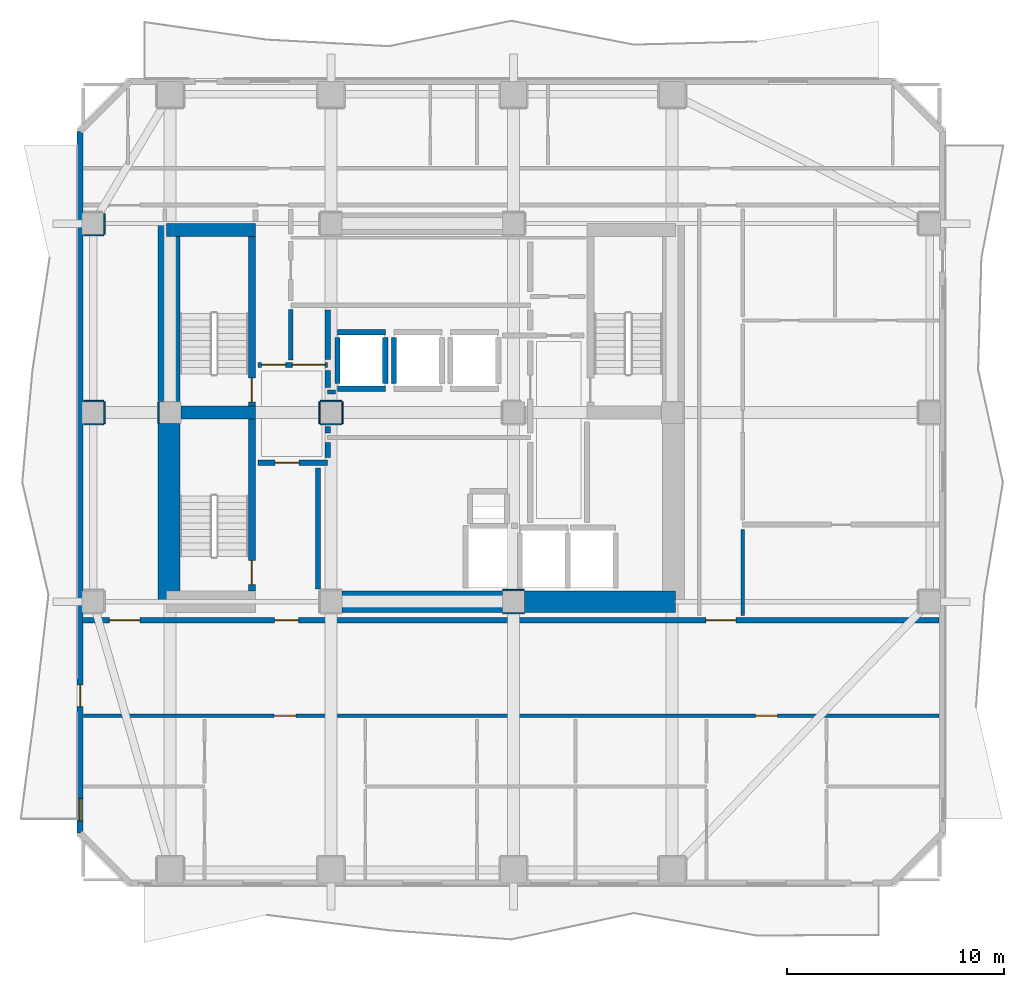
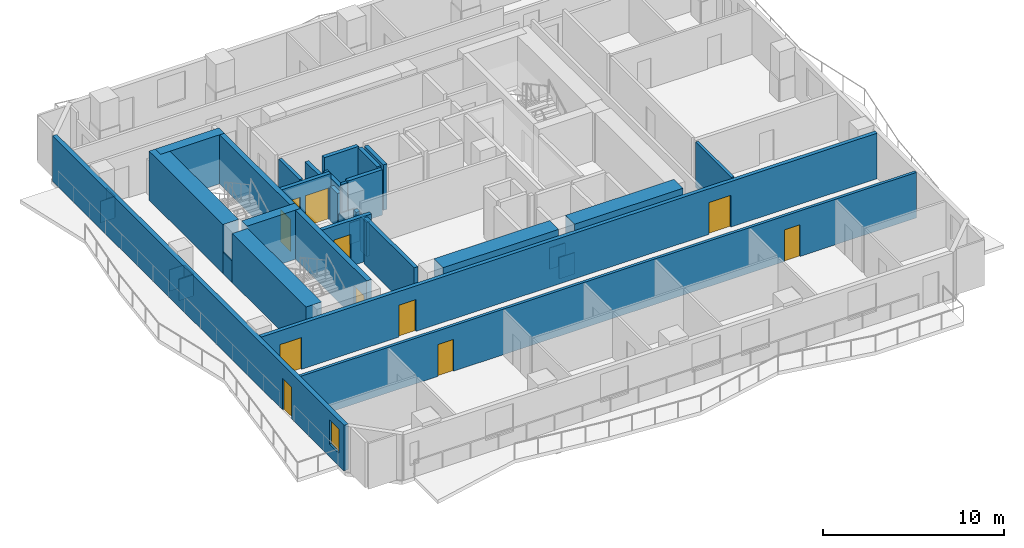
# One storey, part 3 of 9: 38 walls, 11 doors, 1 window, 12 openings.
"""IFC4 building model written with IfcOpenShell, lengths in metres."""

from ifc_helpers import new_model, si_unit, direction, frame, frame_2d, origin, place, context, subcontext, project, spatial, rectangle, extrude, material, layer, layer_set, type_object, element, fill, save


model = new_model("IFC4")

# Units and contexts
model_context = context("Model", 3, precision=1e-05, world=origin(), true_north=direction((0.0, 1.0)))
body_context = subcontext(model_context, "Body", "Model", "MODEL_VIEW")
ifc_project = project(units=[si_unit("LENGTHUNIT", "METRE"), si_unit("AREAUNIT", "SQUARE_METRE"), si_unit("VOLUMEUNIT", "CUBIC_METRE"), si_unit("PLANEANGLEUNIT", "RADIAN"), si_unit("MASSUNIT", "GRAM", prefix="KILO")], contexts=[model_context])

# Site, building, storey
site_placement = place(None, origin())
site = spatial("IfcSite", under=ifc_project, at=site_placement, CompositionType="ELEMENT")
building_placement = place(site_placement, origin())
building = spatial("IfcBuilding", under=site, at=building_placement, Name="Solanera Arch Residences", CompositionType="ELEMENT")
storey_placement = place(building_placement, frame((0.0, 0.0, 129.320068359375)))
storey = spatial("IfcBuildingStorey", under=building, at=storey_placement, Name="L37", CompositionType="ELEMENT", Elevation=129.320068359375)

# Walls
ifc_material_1 = material(Name="Fire-Rated Gypsum Stud Partition", Category="gypsum")
ifc_layer_1 = layer(ifc_material_1, 0.06005859375)
ifc_layer_set_1 = layer_set([ifc_layer_1], Name="Fire-Rated Gypsum Stud Partition")
wall_type_1 = type_object("IfcWallType", Name="Column Acoustic Furring Wall 60", PredefinedType="PARTITIONING", material=ifc_layer_set_1)
for number, where, z_axis, x_axis, name in (
    (1, (28.699951171875, 21.468017578125, 0.0), (0.0, 0.0, 1.0), (1.0, 0.0, 0.0), "L37 Column Furring 2S"),
    (2, (28.699951171875, 22.531982421875, 0.0), (0.0, 0.0, 1.0), (1.0, 0.0, 0.0), "L37 Column Furring 2N"),
):
    element("IfcWall", number, at=place(storey_placement, frame(where, z_axis=z_axis, x_axis=x_axis)), inside=storey, type_object=wall_type_1, Name=name, PredefinedType="PARTITIONING", context=body_context, shape_type="SweptSolid", body=[
        extrude(rectangle(XDim=1.0, YDim=0.06005859375, at=frame_2d((0.5, 0.0))), origin(), (0.0, 0.0, 1.0), 1.449951171875),
    ])
wall_1_placement = place(storey_placement, frame((12.867919921875, 30.2099609375, 0.0), z_axis=(0.0, 0.0, 1.0), x_axis=(0.0, 1.0, 0.0)))
element("IfcWall", 3, at=wall_1_placement, inside=storey, type_object=wall_type_1, Name="L37 Column Furring 5W", PredefinedType="PARTITIONING", context=body_context, shape_type="SweptSolid", body=[
    extrude(rectangle(XDim=0.97998046875, YDim=0.06005859375, at=frame_2d((0.489990234375, 0.0))), origin(), (0.0, 0.0, 1.0), 1.449951171875),
])
for number, where, z_axis, x_axis, name in (
    (4, (20.300048828125, 30.16796875, 0.0), (0.0, 0.0, 1.0), (1.0, 0.0, 0.0), "L37 Column Furring 7S"),
    (5, (20.300048828125, 31.23193359375, 0.0), (0.0, 0.0, 1.0), (1.0, 0.0, 0.0), "L37 Column Furring 7N"),
    (6, (20.26806640625, 30.199951171875, 0.0), (0.0, 0.0, 1.0), (0.0, 1.0, 0.0), "L37 Column Furring 7W"),
    (7, (21.33203125, 30.199951171875, 0.0), (0.0, 0.0, 1.0), (0.0, 1.0, 0.0), "L37 Column Furring 7E"),
):
    element("IfcWall", number, at=place(storey_placement, frame(where, z_axis=z_axis, x_axis=x_axis)), inside=storey, type_object=wall_type_1, Name=name, PredefinedType="PARTITIONING", context=body_context, shape_type="SweptSolid", body=[
        extrude(rectangle(XDim=1.0, YDim=0.06005859375, at=frame_2d((0.5, 0.0))), origin(), (0.0, 0.0, 1.0), 1.449951171875),
    ])
for number, where, z_axis, x_axis, name in (
    (8, (9.409912109375, 30.16796875, 0.0), (0.0, 0.0, 1.0), (1.0, 0.0, 0.0), "L37 Column Furring 19S"),
    (9, (9.409912109375, 31.23193359375, 0.0), (0.0, 0.0, 1.0), (1.0, 0.0, 0.0), "L37 Column Furring 19N"),
):
    element("IfcWall", number, at=place(storey_placement, frame(where, z_axis=z_axis, x_axis=x_axis)), inside=storey, type_object=wall_type_1, Name=name, PredefinedType="PARTITIONING", context=body_context, shape_type="SweptSolid", body=[
        extrude(rectangle(XDim=0.940185546875, YDim=0.06005859375, at=frame_2d((0.47021484375, 0.0))), origin(), (0.0, 0.0, 1.0), 1.449951171875),
    ])
wall_2_placement = place(storey_placement, frame((10.382080078125, 30.199951171875, 0.0), z_axis=(0.0, 0.0, 1.0), x_axis=(0.0, 1.0, 0.0)))
element("IfcWall", 10, at=wall_2_placement, inside=storey, type_object=wall_type_1, Name="L37 Column Furring 19E", PredefinedType="PARTITIONING", context=body_context, shape_type="SweptSolid", body=[
    extrude(rectangle(XDim=1.0, YDim=0.06005859375, at=frame_2d((0.5, 0.0))), origin(), (0.0, 0.0, 1.0), 1.449951171875),
])
wall_3_placement = place(storey_placement, frame((9.409912109375, 38.867919921875, 0.0), z_axis=(0.0, 0.0, 1.0), x_axis=(1.0, 0.0, 0.0)))
element("IfcWall", 11, at=wall_3_placement, inside=storey, type_object=wall_type_1, Name="L37 Column Furring 21S", PredefinedType="PARTITIONING", context=body_context, shape_type="SweptSolid", body=[
    extrude(rectangle(XDim=0.940185546875, YDim=0.06005859375, at=frame_2d((0.47021484375, 0.0))), origin(), (0.0, 0.0, 1.0), 1.449951171875),
])
wall_4_placement = place(storey_placement, frame((10.382080078125, 38.89990234375, 0.0), z_axis=(0.0, 0.0, 1.0), x_axis=(0.0, 1.0, 0.0)))
element("IfcWall", 12, at=wall_4_placement, inside=storey, type_object=wall_type_1, Name="L37 Column Furring 21E", PredefinedType="PARTITIONING", context=body_context, shape_type="SweptSolid", body=[
    extrude(rectangle(XDim=0.9560546875, YDim=0.06005859375, at=frame_2d((0.47802734375, 0.0))), origin(), (0.0, 0.0, 1.0), 1.449951171875),
])
ifc_material_2 = material(Name="Concrete C55/67 (f'c = 60 MPa)", Category="concrete")
ifc_layer_2 = layer(ifc_material_2, 1.0)
ifc_layer_set_2 = layer_set([ifc_layer_2], Name="Concrete C55/67 (f'c = 60 MPa)")
wall_type_2 = type_object("IfcWallType", Name="Core Shear Wall CW-1000", PredefinedType="SHEAR", material=ifc_layer_set_2)
wall_5_placement = place(storey_placement, frame((13.340087890625, 22.0, 0.0), z_axis=(0.0, 0.0, 1.0), x_axis=(0.0, 1.0, 0.0)))
element("IfcWall", 13, at=wall_5_placement, inside=storey, type_object=wall_type_2, Name="L37 West Core South Shear Wall", PredefinedType="SHEAR", context=body_context, shape_type="SweptSolid", body=[
    extrude(rectangle(XDim=8.195068359375, YDim=1.0, at=frame_2d((4.09765625, 0.0))), origin(), (0.0, 0.0, 1.0), 3.31982421875),
])
wall_6_placement = place(storey_placement, frame((13.340087890625, 31.205078125, 0.0), z_axis=(0.0, 0.0, 1.0), x_axis=(0.0, 1.0, 0.0)))
element("IfcWall", 14, at=wall_6_placement, inside=storey, type_object=wall_type_2, Name="L37 West Core North Shear Wall", PredefinedType="SHEAR", context=body_context, shape_type="SweptSolid", body=[
    extrude(rectangle(XDim=8.19482421875, YDim=1.0, at=frame_2d((4.097412109375, 0.0))), origin(), (0.0, 0.0, 1.0), 3.31982421875),
])
wall_7_placement = place(storey_placement, frame((29.705078125, 22.0, 0.0), z_axis=(0.0, 0.0, 1.0), x_axis=(1.0, 0.0, 0.0)))
element("IfcWall", 15, at=wall_7_placement, inside=storey, type_object=wall_type_2, Name="L37 South-East Core Shear Wall", PredefinedType="SHEAR", context=body_context, shape_type="SweptSolid", body=[
    extrude(rectangle(XDim=6.954833984375, YDim=1.0, at=frame_2d((3.4775390625, 0.0))), origin(), (0.0, 0.0, 1.0), 3.31982421875),
])
wall_8_placement = place(storey_placement, frame((21.304931640625, 22.0, 0.0), z_axis=(0.0, 0.0, 1.0), x_axis=(1.0, 0.0, 0.0)))
element("IfcWall", 16, at=wall_8_placement, inside=storey, type_object=wall_type_2, Name="L37 Central South Core Shear Wall", PredefinedType="SHEAR", context=body_context, shape_type="SweptSolid", body=[
    extrude(rectangle(XDim=7.39013671875, YDim=1.0, at=frame_2d((3.695068359375, 0.0))), origin(), (0.0, 0.0, 1.0), 3.31982421875),
])

# Wall, opening, door
ifc_material_3 = material(Name="Concrete C40/50 (f'c = 45 MPa)", Category="concrete")
ifc_layer_3 = layer(ifc_material_3, 0.320068359375)
ifc_layer_set_3 = layer_set([ifc_layer_3], Name="Concrete C40/50 (f'c = 45 MPa)")
wall_type_3 = type_object("IfcWallType", Name="Core Shear Wall CW-320", PredefinedType="SHEAR", material=ifc_layer_set_3)
wall_9_placement = place(storey_placement, frame((17.159912109375, 31.0, 0.0), z_axis=(0.0, 0.0, 1.0), x_axis=(0.0, 1.0, 0.0)))
wall_9 = element("IfcWall", 17, at=wall_9_placement, inside=storey, type_object=wall_type_3, Name="L37 Stair ST-T1 East Shear Wall", PredefinedType="SHEAR", context=body_context, shape_type="SweptSolid", body=[
    extrude(rectangle(XDim=7.800048828125, YDim=0.320068359375, at=frame_2d((3.89990234375, 0.0))), origin(), (0.0, 0.0, 1.0), 3.31982421875),
])
opening_1_placement = place(wall_9_placement, frame((0.18994140625, 0.0, 0.0)))
opening_1 = element("IfcOpeningElement", 18, at=opening_1_placement, cuts=wall_9, Name="Opening DF-01", PredefinedType="OPENING", context=body_context, shape_type="SweptSolid", body=[
    extrude(rectangle(XDim=1.10009765625, YDim=2.14990234375, at=frame_2d((0.550048828125, 1.074951171875))), frame((0.0, 0.169921875, 0.0), z_axis=(0.0, -1.0, 0.0), x_axis=(1.0, 0.0, 0.0)), (0.0, 0.0, 1.0), 0.3401),
])
ifc_material_4 = material(Name="Fire-Rated Architectural Hardwood", Category="wood")
door_type_1 = type_object("IfcDoorType", Name="Stair Exit Fire Door DF-01", OperationType="NOTDEFINED", PredefinedType="DOOR", material=ifc_material_4)
door_1_placement = place(opening_1_placement, origin())
door_1 = element("IfcDoor", 19, at=door_1_placement, inside=storey, type_object=door_type_1, Name="DR-L37-STAIR-ST-T1", OperationType="SINGLE_SWING_RIGHT", OverallHeight=2.14990234375, OverallWidth=1.10009765625, PredefinedType="DOOR", context=body_context, shape_type="SweptSolid", body=[
    extrude(rectangle(XDim=1.10009765625, YDim=2.14990234375, at=frame_2d((0.550048828125, 1.074951171875))), frame((0.0, 0.02490234375, 0.0), z_axis=(0.0, -1.0, 0.0), x_axis=(1.0, 0.0, 0.0)), (0.0, 0.0, 1.0), 0.050048828125),
])
fill(opening_1, door_1)

wall_10_placement = place(storey_placement, frame((17.159912109375, 22.5, 0.0), z_axis=(0.0, 0.0, 1.0), x_axis=(0.0, 1.0, 0.0)))
wall_10 = element("IfcWall", 20, at=wall_10_placement, inside=storey, type_object=wall_type_3, Name="L37 Stair ST-T3 East Shear Wall", PredefinedType="SHEAR", context=body_context, shape_type="SweptSolid", body=[
    extrude(rectangle(XDim=7.89990234375, YDim=0.320068359375, at=frame_2d((3.949951171875, 0.0))), origin(), (0.0, 0.0, 1.0), 3.31982421875),
])
opening_2_placement = place(wall_10_placement, frame((0.2900390625, 0.0, 0.0)))
opening_2 = element("IfcOpeningElement", 21, at=opening_2_placement, cuts=wall_10, Name="Opening DF-01", PredefinedType="OPENING", context=body_context, shape_type="SweptSolid", body=[
    extrude(rectangle(XDim=1.10009765625, YDim=2.14990234375, at=frame_2d((0.550048828125, 1.074951171875))), frame((0.0, 0.169921875, 0.0), z_axis=(0.0, -1.0, 0.0), x_axis=(1.0, 0.0, 0.0)), (0.0, 0.0, 1.0), 0.3401),
])
door_2_placement = place(opening_2_placement, origin())
door_2 = element("IfcDoor", 22, at=door_2_placement, inside=storey, type_object=door_type_1, Name="DR-L37-STAIR-ST-T3", OperationType="SINGLE_SWING_RIGHT", OverallHeight=2.14990234375, OverallWidth=1.10009765625, PredefinedType="DOOR", context=body_context, shape_type="SweptSolid", body=[
    extrude(rectangle(XDim=1.10009765625, YDim=2.14990234375, at=frame_2d((0.550048828125, 1.074951171875))), frame((0.0, 0.02490234375, 0.0), z_axis=(0.0, -1.0, 0.0), x_axis=(1.0, 0.0, 0.0)), (0.0, 0.0, 1.0), 0.050048828125),
])
fill(opening_2, door_2)

# Walls
ifc_material_5 = material(Name="Concrete C40/50 (f'c = 45 MPa)", Category="concrete")
ifc_layer_4 = layer(ifc_material_5, 0.60009765625)
ifc_layer_set_4 = layer_set([ifc_layer_4], Name="Concrete C40/50 (f'c = 45 MPa)")
wall_type_4 = type_object("IfcWallType", Name="Core Shear Wall CW-600", PredefinedType="SHEAR", material=ifc_layer_set_4)
wall_11_placement = place(storey_placement, frame((13.239990234375, 39.10009765625, 0.0), z_axis=(0.0, 0.0, 1.0), x_axis=(1.0, 0.0, 0.0)))
element("IfcWall", 23, at=wall_11_placement, inside=storey, type_object=wall_type_4, Name="L37 North-West Core Shear Wall", PredefinedType="SHEAR", context=body_context, shape_type="SweptSolid", body=[
    extrude(rectangle(XDim=4.080078125, YDim=0.60009765625, at=frame_2d((2.0400390625, 0.0))), origin(), (0.0, 0.0, 1.0), 3.31982421875),
])
wall_12_placement = place(storey_placement, frame((13.905029296875, 30.699951171875, 0.0), z_axis=(0.0, 0.0, 1.0), x_axis=(1.0, 0.0, 0.0)))
element("IfcWall", 24, at=wall_12_placement, inside=storey, type_object=wall_type_4, Name="L37 West Stair Divider Shear Wall", PredefinedType="SHEAR", context=body_context, shape_type="SweptSolid", body=[
    extrude(rectangle(XDim=3.4150390625, YDim=0.60009765625, at=frame_2d((1.70751953125, 0.0))), origin(), (0.0, 0.0, 1.0), 3.31982421875),
])

# Wall, openings, doors
ifc_material_6 = material(Name="Autoclaved Aerated Concrete Blockwork", Category="masonry")
ifc_layer_5 = layer(ifc_material_6, 0.179931640625)
ifc_layer_set_5 = layer_set([ifc_layer_5], Name="Autoclaved Aerated Concrete Blockwork")
wall_type_5 = type_object("IfcWallType", Name="Corridor Fire Partition 180", PredefinedType="PARTITIONING", material=ifc_layer_set_5)
wall_13_placement = place(storey_placement, frame((9.406982421875, 16.75, 0.0), z_axis=(0.0, 0.0, 1.0), x_axis=(1.0, 0.0, 0.0)))
wall_13 = element("IfcWall", 25, at=wall_13_placement, inside=storey, type_object=wall_type_5, Name="L37 Interior Partition H8", PredefinedType="PARTITIONING", context=body_context, shape_type="SweptSolid", body=[
    extrude(rectangle(XDim=39.385986328125, YDim=0.179931640625, at=frame_2d((19.69287109375, 0.0))), origin(), (0.0, 0.0, 1.0), 3.079833984375),
])
opening_3_placement = place(wall_13_placement, frame((8.77294921875, 0.0, 0.0)))
opening_3 = element("IfcOpeningElement", 26, at=opening_3_placement, cuts=wall_13, Name="Opening DI-01", PredefinedType="OPENING", context=body_context, shape_type="SweptSolid", body=[
    extrude(rectangle(XDim=1.0, YDim=2.14990234375, at=frame_2d((0.5, 1.074951171875))), frame((0.0, 0.10009765625, 0.0), z_axis=(0.0, -1.0, 0.0), x_axis=(1.0, 0.0, 0.0)), (0.0, 0.0, 1.0), 0.1999),
])
opening_4_placement = place(wall_13_placement, frame((30.93603515625, 0.0, 0.0)))
opening_4 = element("IfcOpeningElement", 27, at=opening_4_placement, cuts=wall_13, Name="Opening DI-01", PredefinedType="OPENING", context=body_context, shape_type="SweptSolid", body=[
    extrude(rectangle(XDim=1.0, YDim=2.14990234375, at=frame_2d((0.5, 1.074951171875))), frame((0.0, 0.10009765625, 0.0), z_axis=(0.0, -1.0, 0.0), x_axis=(1.0, 0.0, 0.0)), (0.0, 0.0, 1.0), 0.1999),
])
ifc_material_7 = material(Name="Fire-Rated Architectural Hardwood", Category="wood")
door_type_2 = type_object("IfcDoorType", Name="Unit Entrance Fire Door DI-01", OperationType="NOTDEFINED", PredefinedType="DOOR", material=ifc_material_7)
door_3_placement = place(opening_3_placement, origin())
door_3 = element("IfcDoor", 28, at=door_3_placement, inside=storey, type_object=door_type_2, Name="DR-L37-IN-017", OperationType="SINGLE_SWING_RIGHT", OverallHeight=2.14990234375, OverallWidth=1.0, PredefinedType="DOOR", context=body_context, shape_type="SweptSolid", body=[
    extrude(rectangle(XDim=1.0, YDim=2.14990234375, at=frame_2d((0.5, 1.074951171875))), frame((0.0, 0.02490234375, 0.0), z_axis=(0.0, -1.0, 0.0), x_axis=(1.0, 0.0, 0.0)), (0.0, 0.0, 1.0), 0.050048828125),
])
fill(opening_3, door_3)
door_4_placement = place(opening_4_placement, origin())
door_4 = element("IfcDoor", 29, at=door_4_placement, inside=storey, type_object=door_type_2, Name="DR-L37-IN-024", OperationType="SINGLE_SWING_LEFT", OverallHeight=2.14990234375, OverallWidth=1.0, PredefinedType="DOOR", context=body_context, shape_type="SweptSolid", body=[
    extrude(rectangle(XDim=1.0, YDim=2.14990234375, at=frame_2d((0.5, 1.074951171875))), frame((0.0, 0.02490234375, 0.0), z_axis=(0.0, -1.0, 0.0), x_axis=(1.0, 0.0, 0.0)), (0.0, 0.0, 1.0), 0.050048828125),
])
fill(opening_4, door_4)

# Walls
wall_14_placement = place(storey_placement, frame((20.64990234375, 31.64990234375, 0.0), z_axis=(0.0, 0.0, 1.0), x_axis=(1.0, 0.0, 0.0)))
element("IfcWall", 30, at=wall_14_placement, inside=storey, type_object=wall_type_5, Name="L37 Interior Partition H10", PredefinedType="PARTITIONING", context=body_context, shape_type="SweptSolid", body=[
    extrude(rectangle(XDim=0.357177734375, YDim=0.179931640625, at=frame_2d((0.1787109375, 0.0))), origin(), (0.0, 0.0, 1.0), 3.079833984375),
])
wall_15_placement = place(storey_placement, frame((39.75, 21.367919921875, 0.0), z_axis=(0.0, 0.0, 1.0), x_axis=(0.0, 1.0, 0.0)))
element("IfcWall", 31, at=wall_15_placement, inside=storey, type_object=wall_type_5, Name="L37 Interior Partition V11 1", PredefinedType="PARTITIONING", context=body_context, shape_type="SweptSolid", body=[
    extrude(rectangle(XDim=3.964111328125, YDim=0.179931640625, at=frame_2d((1.98193359375, 0.0))), origin(), (0.0, 0.0, 1.0), 3.079833984375),
])

# Wall, openings, door, window
ifc_material_8 = material(Name="Precast Concrete C35/45", Category="concrete")
ifc_layer_6 = layer(ifc_material_8, 0.280029296875)
ifc_layer_set_6 = layer_set([ifc_layer_6], Name="Precast Concrete C35/45")
wall_type_6 = type_object("IfcWallType", Name="Exterior Wall Precast Masonry-Frame 280", PredefinedType="STANDARD", material=ifc_layer_set_6)
wall_16_placement = place(storey_placement, frame((9.2548828125, 11.35498046875, 0.0), z_axis=(0.0, 0.0, 1.0), x_axis=(0.0, 1.0, 0.0)))
wall_16 = element("IfcWall", 32, at=wall_16_placement, inside=storey, type_object=wall_type_6, Name="L37 Tower Exterior Precast Masonry-Frame Wall W", PredefinedType="STANDARD", context=body_context, shape_type="SweptSolid", body=[
    extrude(rectangle(XDim=32.2900390625, YDim=0.280029296875, at=frame_2d((16.14501953125, 0.0))), origin(), (0.0, 0.0, 1.0), 3.079833984375),
])
opening_5_placement = place(wall_16_placement, frame((5.818115234375, 0.0, 0.0)))
opening_5 = element("IfcOpeningElement", 33, at=opening_5_placement, cuts=wall_16, Name="Opening DB-01", PredefinedType="OPENING", context=body_context, shape_type="SweptSolid", body=[
    extrude(rectangle(XDim=1.0, YDim=2.14990234375, at=frame_2d((0.5, 1.074951171875))), frame((0.0, 0.14990234375, 0.0), z_axis=(0.0, -1.0, 0.0), x_axis=(1.0, 0.0, 0.0)), (0.0, 0.0, 1.0), 0.3),
])
opening_6_placement = place(wall_16_placement, frame((0.5439453125, 0.0, 0.85009765625)))
opening_6 = element("IfcOpeningElement", 34, at=opening_6_placement, cuts=wall_16, Name="Opening W-07", PredefinedType="OPENING", context=body_context, shape_type="SweptSolid", body=[
    extrude(rectangle(XDim=1.050048828125, YDim=1.64990234375, at=frame_2d((0.52490234375, 0.824951171875))), frame((0.0, 0.14990234375, 0.0), z_axis=(0.0, -1.0, 0.0), x_axis=(1.0, 0.0, 0.0)), (0.0, 0.0, 1.0), 0.3),
])
ifc_material_9 = material(Name="Anodised Aluminium Alloy 6063-T6", Category="aluminium")
door_type_3 = type_object("IfcDoorType", Name="Glazed Balcony Swing Door DB-01", OperationType="NOTDEFINED", PredefinedType="DOOR", material=ifc_material_9)
door_5_placement = place(opening_5_placement, origin())
door_5 = element("IfcDoor", 35, at=door_5_placement, inside=storey, type_object=door_type_3, Name="DR-L37-OUT-04", OperationType="SINGLE_SWING_RIGHT", OverallHeight=2.14990234375, OverallWidth=1.0, PredefinedType="DOOR", context=body_context, shape_type="SweptSolid", body=[
    extrude(rectangle(XDim=1.0, YDim=2.14990234375, at=frame_2d((0.5, 1.074951171875))), frame((0.0, 0.02490234375, 0.0), z_axis=(0.0, -1.0, 0.0), x_axis=(1.0, 0.0, 0.0)), (0.0, 0.0, 1.0), 0.050048828125),
])
fill(opening_5, door_5)
ifc_material_10 = material(Name="Double Glazed Low-E Laminated Glass", Category="glass")
window_type = type_object("IfcWindowType", Name="Punched Window W-07", PartitioningType="SINGLE_PANEL", PredefinedType="WINDOW", material=ifc_material_10)
window_placement = place(opening_6_placement, origin())
window = element("IfcWindow", 36, at=window_placement, inside=storey, type_object=window_type, Name="L37 3701-BR1 Punched Window", OverallHeight=1.64990234375, OverallWidth=1.050048828125, PartitioningType="SINGLE_PANEL", PredefinedType="WINDOW", context=body_context, shape_type="SweptSolid", body=[
    extrude(rectangle(XDim=1.050048828125, YDim=1.64990234375, at=frame_2d((0.52490234375, 0.824951171875))), frame((0.0, 0.030029296875, 0.0), z_axis=(0.0, -1.0, 0.0), x_axis=(1.0, 0.0, 0.0)), (0.0, 0.0, 1.0), 0.06005859375),
])
fill(opening_6, window)

# Walls
ifc_material_11 = material(Name="Autoclaved Aerated Concrete Blockwork", Category="masonry")
ifc_layer_7 = layer(ifc_material_11, 0.199951171875)
ifc_layer_set_7 = layer_set([ifc_layer_7], Name="Autoclaved Aerated Concrete Blockwork")
wall_type_7 = type_object("IfcWallType", Name="Party Wall Acoustic 200", PredefinedType="PARTITIONING", material=ifc_layer_set_7)
wall_17_placement = place(storey_placement, frame((18.949951171875, 33.1279296875, 0.0), z_axis=(0.0, 0.0, 1.0), x_axis=(0.0, 1.0, 0.0)))
element("IfcWall", 37, at=wall_17_placement, inside=storey, type_object=wall_type_7, Name="L37 Interior Partition V6 1", PredefinedType="PARTITIONING", context=body_context, shape_type="SweptSolid", body=[
    extrude(rectangle(XDim=2.31396484375, YDim=0.199951171875, at=frame_2d((1.156982421875, 0.0))), origin(), (0.0, 0.0, 1.0), 3.079833984375),
])
ifc_material_12 = material(Name="Autoclaved Aerated Concrete Blockwork", Category="masonry")
ifc_layer_8 = layer(ifc_material_12, 0.239990234375)
ifc_layer_set_8 = layer_set([ifc_layer_8], Name="Autoclaved Aerated Concrete Blockwork")
wall_type_8 = type_object("IfcWallType", Name="Shaft Wall Fire-Rated 240", PredefinedType="PARTITIONING", material=ifc_layer_set_8)
for number, where, z_axis, x_axis, name in (
    (38, (21.10009765625, 31.800048828125, 0.0), (0.0, 0.0, 1.0), (1.0, 0.0, 0.0), "L37 Lift PL-M1 Hoistway Wall S"),
    (39, (21.10009765625, 34.39990234375, 0.0), (0.0, 0.0, 1.0), (1.0, 0.0, 0.0), "L37 Lift PL-M1 Hoistway Wall N"),
):
    element("IfcWall", number, at=place(storey_placement, frame(where, z_axis=z_axis, x_axis=x_axis)), inside=storey, type_object=wall_type_8, Name=name, PredefinedType="PARTITIONING", context=body_context, shape_type="SweptSolid", body=[
        extrude(rectangle(XDim=2.199951171875, YDim=0.239990234375, at=frame_2d((1.10009765625, 0.0))), origin(), (0.0, 0.0, 1.0), 3.079833984375),
    ])
wall_18_placement = place(storey_placement, frame((21.10009765625, 32.048095703125, 0.0), z_axis=(0.0, 0.0, 1.0), x_axis=(0.0, 1.0, 0.0)))
element("IfcWall", 40, at=wall_18_placement, inside=storey, type_object=wall_type_8, Name="L37 Lift PL-M1 Hoistway Wall W", PredefinedType="PARTITIONING", context=body_context, shape_type="SweptSolid", body=[
    extrude(rectangle(XDim=2.10400390625, YDim=0.239990234375, at=frame_2d((1.052001953125, 0.0))), origin(), (0.0, 0.0, 1.0), 2.31494140625),
])
for number, where, z_axis, x_axis, name in (
    (41, (23.300048828125, 32.048095703125, 0.0), (0.0, 0.0, 1.0), (0.0, 1.0, 0.0), "L37 Lift PL-M1 Hoistway Wall E"),
    (42, (23.699951171875, 32.048095703125, 0.0), (0.0, 0.0, 1.0), (0.0, 1.0, 0.0), "L37 Lift PL-M2 Hoistway Wall W"),
):
    element("IfcWall", number, at=place(storey_placement, frame(where, z_axis=z_axis, x_axis=x_axis)), inside=storey, type_object=wall_type_8, Name=name, PredefinedType="PARTITIONING", context=body_context, shape_type="SweptSolid", body=[
        extrude(rectangle(XDim=2.10400390625, YDim=0.239990234375, at=frame_2d((1.052001953125, 0.0))), origin(), (0.0, 0.0, 1.0), 3.079833984375),
    ])

# Wall, openings, doors
wall_19_placement = place(storey_placement, frame((9.406982421875, 21.14990234375, 0.0), z_axis=(0.0, 0.0, 1.0), x_axis=(1.0, 0.0, 0.0)))
wall_19 = element("IfcWall", 43, at=wall_19_placement, inside=storey, type_object=wall_type_8, Name="L37 Interior Partition H1", PredefinedType="PARTITIONING", context=body_context, shape_type="SweptSolid", body=[
    extrude(rectangle(XDim=39.385986328125, YDim=0.239990234375, at=frame_2d((19.69287109375, 0.0))), origin(), (0.0, 0.0, 1.0), 3.079833984375),
])
opening_7_placement = place(wall_19_placement, frame((8.802978515625, 0.0, 0.0)))
opening_7 = element("IfcOpeningElement", 44, at=opening_7_placement, cuts=wall_19, Name="Opening DF-02", PredefinedType="OPENING", context=body_context, shape_type="SweptSolid", body=[
    extrude(rectangle(XDim=1.10009765625, YDim=2.14990234375, at=frame_2d((0.550048828125, 1.074951171875))), frame((0.0, 0.1298828125, 0.0), z_axis=(0.0, -1.0, 0.0), x_axis=(1.0, 0.0, 0.0)), (0.0, 0.0, 1.0), 0.26),
])
opening_8_placement = place(wall_19_placement, frame((1.19189453125, 0.0, 0.0)))
opening_8 = element("IfcOpeningElement", 45, at=opening_8_placement, cuts=wall_19, Name="Opening DF-03", PredefinedType="OPENING", context=body_context, shape_type="SweptSolid", body=[
    extrude(rectangle(XDim=1.39990234375, YDim=2.14990234375, at=frame_2d((0.699951171875, 1.074951171875))), frame((0.0, 0.1298828125, 0.0), z_axis=(0.0, -1.0, 0.0), x_axis=(1.0, 0.0, 0.0)), (0.0, 0.0, 1.0), 0.26),
])
opening_9_placement = place(wall_19_placement, frame((28.64306640625, 0.0, 0.0)))
opening_9 = element("IfcOpeningElement", 46, at=opening_9_placement, cuts=wall_19, Name="Opening DF-03", PredefinedType="OPENING", context=body_context, shape_type="SweptSolid", body=[
    extrude(rectangle(XDim=1.39990234375, YDim=2.14990234375, at=frame_2d((0.699951171875, 1.074951171875))), frame((0.0, 0.1298828125, 0.0), z_axis=(0.0, -1.0, 0.0), x_axis=(1.0, 0.0, 0.0)), (0.0, 0.0, 1.0), 0.26),
])
ifc_material_13 = material(Name="Fire-Rated Architectural Hardwood", Category="wood")
door_type_4 = type_object("IfcDoorType", Name="Corridor Smoke Door DF-03", OperationType="NOTDEFINED", PredefinedType="DOOR", material=ifc_material_13)
door_6_placement = place(opening_8_placement, origin())
door_6 = element("IfcDoor", 47, at=door_6_placement, inside=storey, type_object=door_type_4, Name="DR-L37-IN-010", OperationType="SINGLE_SWING_LEFT", OverallHeight=2.14990234375, OverallWidth=1.39990234375, PredefinedType="DOOR", context=body_context, shape_type="SweptSolid", body=[
    extrude(rectangle(XDim=1.39990234375, YDim=2.14990234375, at=frame_2d((0.699951171875, 1.074951171875))), frame((0.0, 0.02490234375, 0.0), z_axis=(0.0, -1.0, 0.0), x_axis=(1.0, 0.0, 0.0)), (0.0, 0.0, 1.0), 0.050048828125),
])
fill(opening_8, door_6)
door_7_placement = place(opening_9_placement, origin())
door_7 = element("IfcDoor", 48, at=door_7_placement, inside=storey, type_object=door_type_4, Name="DR-L37-IN-011", OperationType="SINGLE_SWING_RIGHT", OverallHeight=2.14990234375, OverallWidth=1.39990234375, PredefinedType="DOOR", context=body_context, shape_type="SweptSolid", body=[
    extrude(rectangle(XDim=1.39990234375, YDim=2.14990234375, at=frame_2d((0.699951171875, 1.074951171875))), frame((0.0, 0.02490234375, 0.0), z_axis=(0.0, -1.0, 0.0), x_axis=(1.0, 0.0, 0.0)), (0.0, 0.0, 1.0), 0.050048828125),
])
fill(opening_9, door_7)
ifc_material_14 = material(Name="Fire-Rated Architectural Hardwood", Category="wood")
door_type_5 = type_object("IfcDoorType", Name="Firefighting Lobby Fire Door DF-02", OperationType="NOTDEFINED", PredefinedType="DOOR", material=ifc_material_14)
door_8_placement = place(opening_7_placement, origin())
door_8 = element("IfcDoor", 49, at=door_8_placement, inside=storey, type_object=door_type_5, Name="DR-L37-IN-008", OperationType="SINGLE_SWING_LEFT", OverallHeight=2.14990234375, OverallWidth=1.10009765625, PredefinedType="DOOR", context=body_context, shape_type="SweptSolid", body=[
    extrude(rectangle(XDim=1.10009765625, YDim=2.14990234375, at=frame_2d((0.550048828125, 1.074951171875))), frame((0.0, 0.02490234375, 0.0), z_axis=(0.0, -1.0, 0.0), x_axis=(1.0, 0.0, 0.0)), (0.0, 0.0, 1.0), 0.050048828125),
])
fill(opening_7, door_8)

# Wall, opening, door
wall_20_placement = place(storey_placement, frame((17.449951171875, 28.39990234375, 0.0), z_axis=(0.0, 0.0, 1.0), x_axis=(1.0, 0.0, 0.0)))
wall_20 = element("IfcWall", 50, at=wall_20_placement, inside=storey, type_object=wall_type_8, Name="L37 Interior Partition H4", PredefinedType="PARTITIONING", context=body_context, shape_type="SweptSolid", body=[
    extrude(rectangle(XDim=3.199951171875, YDim=0.239990234375, at=frame_2d((1.60009765625, 0.0))), origin(), (0.0, 0.0, 1.0), 3.079833984375),
])
opening_10_placement = place(wall_20_placement, frame((0.783935546875, 0.0, 0.0)))
opening_10 = element("IfcOpeningElement", 51, at=opening_10_placement, cuts=wall_20, Name="Opening DF-02", PredefinedType="OPENING", context=body_context, shape_type="SweptSolid", body=[
    extrude(rectangle(XDim=1.10009765625, YDim=2.14990234375, at=frame_2d((0.550048828125, 1.074951171875))), frame((0.0, 0.1298828125, 0.0), z_axis=(0.0, -1.0, 0.0), x_axis=(1.0, 0.0, 0.0)), (0.0, 0.0, 1.0), 0.26),
])
door_9_placement = place(opening_10_placement, origin())
door_9 = element("IfcDoor", 52, at=door_9_placement, inside=storey, type_object=door_type_5, Name="DR-L37-IN-004", OperationType="SINGLE_SWING_LEFT", OverallHeight=2.14990234375, OverallWidth=1.10009765625, PredefinedType="DOOR", context=body_context, shape_type="SweptSolid", body=[
    extrude(rectangle(XDim=1.10009765625, YDim=2.14990234375, at=frame_2d((0.550048828125, 1.074951171875))), frame((0.0, 0.02490234375, 0.0), z_axis=(0.0, -1.0, 0.0), x_axis=(1.0, 0.0, 0.0)), (0.0, 0.0, 1.0), 0.050048828125),
])
fill(opening_10, door_9)

# Wall, openings, doors
wall_21_placement = place(storey_placement, frame((17.449951171875, 32.89990234375, 0.0), z_axis=(0.0, 0.0, 1.0), x_axis=(1.0, 0.0, 0.0)))
wall_21 = element("IfcWall", 53, at=wall_21_placement, inside=storey, type_object=wall_type_8, Name="L37 Interior Partition H5", PredefinedType="PARTITIONING", context=body_context, shape_type="SweptSolid", body=[
    extrude(rectangle(XDim=3.199951171875, YDim=0.239990234375, at=frame_2d((1.60009765625, 0.0))), origin(), (0.0, 0.0, 1.0), 3.079833984375),
])
opening_11_placement = place(wall_21_placement, frame((0.158935546875, 0.0, 0.0)))
opening_11 = element("IfcOpeningElement", 54, at=opening_11_placement, cuts=wall_21, Name="Opening DF-02", PredefinedType="OPENING", context=body_context, shape_type="SweptSolid", body=[
    extrude(rectangle(XDim=1.10009765625, YDim=2.14990234375, at=frame_2d((0.550048828125, 1.074951171875))), frame((0.0, 0.1298828125, 0.0), z_axis=(0.0, -1.0, 0.0), x_axis=(1.0, 0.0, 0.0)), (0.0, 0.0, 1.0), 0.26),
])
opening_12_placement = place(wall_21_placement, frame((1.575927734375, 0.0, 0.0)))
opening_12 = element("IfcOpeningElement", 55, at=opening_12_placement, cuts=wall_21, Name="Opening DP-01", PredefinedType="OPENING", context=body_context, shape_type="SweptSolid", body=[
    extrude(rectangle(XDim=1.5, YDim=2.14990234375, at=frame_2d((0.75, 1.074951171875))), frame((0.0, 0.1298828125, 0.0), z_axis=(0.0, -1.0, 0.0), x_axis=(1.0, 0.0, 0.0)), (0.0, 0.0, 1.0), 0.26),
])
door_10_placement = place(opening_11_placement, origin())
door_10 = element("IfcDoor", 56, at=door_10_placement, inside=storey, type_object=door_type_5, Name="DR-L37-IN-005", OperationType="SINGLE_SWING_RIGHT", OverallHeight=2.14990234375, OverallWidth=1.10009765625, PredefinedType="DOOR", context=body_context, shape_type="SweptSolid", body=[
    extrude(rectangle(XDim=1.10009765625, YDim=2.14990234375, at=frame_2d((0.550048828125, 1.074951171875))), frame((0.0, 0.02490234375, 0.0), z_axis=(0.0, -1.0, 0.0), x_axis=(1.0, 0.0, 0.0)), (0.0, 0.0, 1.0), 0.050048828125),
])
fill(opening_11, door_10)
ifc_material_15 = material(Name="Fire-Rated Architectural Hardwood", Category="wood")
door_type_6 = type_object("IfcDoorType", Name="Plant Double Fire Door DP-01", OperationType="NOTDEFINED", PredefinedType="DOOR", material=ifc_material_15)
door_11_placement = place(opening_12_placement, origin())
door_11 = element("IfcDoor", 57, at=door_11_placement, inside=storey, type_object=door_type_6, Name="DR-L37-IN-014", OperationType="SINGLE_SWING_LEFT", OverallHeight=2.14990234375, OverallWidth=1.5, PredefinedType="DOOR", context=body_context, shape_type="SweptSolid", body=[
    extrude(rectangle(XDim=1.5, YDim=2.14990234375, at=frame_2d((0.75, 1.074951171875))), frame((0.0, 0.02490234375, 0.0), z_axis=(0.0, -1.0, 0.0), x_axis=(1.0, 0.0, 0.0)), (0.0, 0.0, 1.0), 0.050048828125),
])
fill(opening_12, door_11)

# Walls
wall_22_placement = place(storey_placement, frame((20.199951171875, 22.5859375, 0.0), z_axis=(0.0, 0.0, 1.0), x_axis=(0.0, 1.0, 0.0)))
element("IfcWall", 58, at=wall_22_placement, inside=storey, type_object=wall_type_8, Name="L37 Interior Partition V2", PredefinedType="PARTITIONING", context=body_context, shape_type="SweptSolid", body=[
    extrude(rectangle(XDim=5.566162109375, YDim=0.239990234375, at=frame_2d((2.783203125, 0.0))), origin(), (0.0, 0.0, 1.0), 3.079833984375),
])
wall_23_placement = place(storey_placement, frame((20.64990234375, 28.64794921875, 0.0), z_axis=(0.0, 0.0, 1.0), x_axis=(0.0, 1.0, 0.0)))
element("IfcWall", 59, at=wall_23_placement, inside=storey, type_object=wall_type_8, Name="L37 Interior Partition V3 1", PredefinedType="PARTITIONING", context=body_context, shape_type="SweptSolid", body=[
    extrude(rectangle(XDim=0.68408203125, YDim=0.239990234375, at=frame_2d((0.342041015625, 0.0))), origin(), (0.0, 0.0, 1.0), 2.31494140625),
])
wall_24_placement = place(storey_placement, frame((20.64990234375, 29.76806640625, 0.0), z_axis=(0.0, 0.0, 1.0), x_axis=(0.0, 1.0, 0.0)))
element("IfcWall", 60, at=wall_24_placement, inside=storey, type_object=wall_type_8, Name="L37 Interior Partition V3 2", PredefinedType="PARTITIONING", context=body_context, shape_type="SweptSolid", body=[
    extrude(rectangle(XDim=0.300048828125, YDim=0.239990234375, at=frame_2d((0.14990234375, 0.0))), origin(), (0.0, 0.0, 1.0), 2.31494140625),
])
wall_25_placement = place(storey_placement, frame((20.64990234375, 31.867919921875, 0.0), z_axis=(0.0, 0.0, 1.0), x_axis=(0.0, 1.0, 0.0)))
element("IfcWall", 61, at=wall_25_placement, inside=storey, type_object=wall_type_8, Name="L37 Interior Partition V3 3", PredefinedType="PARTITIONING", context=body_context, shape_type="SweptSolid", body=[
    extrude(rectangle(XDim=0.7841796875, YDim=0.239990234375, at=frame_2d((0.39208984375, 0.0))), origin(), (0.0, 0.0, 1.0), 2.31494140625),
])
wall_26_placement = place(storey_placement, frame((20.64990234375, 33.14794921875, 0.0), z_axis=(0.0, 0.0, 1.0), x_axis=(0.0, 1.0, 0.0)))
element("IfcWall", 62, at=wall_26_placement, inside=storey, type_object=wall_type_8, Name="L37 Interior Partition V3 4", PredefinedType="PARTITIONING", context=body_context, shape_type="SweptSolid", body=[
    extrude(rectangle(XDim=2.274169921875, YDim=0.239990234375, at=frame_2d((1.13720703125, 0.0))), origin(), (0.0, 0.0, 1.0), 2.31494140625),
])

save(model, "model.ifc")
